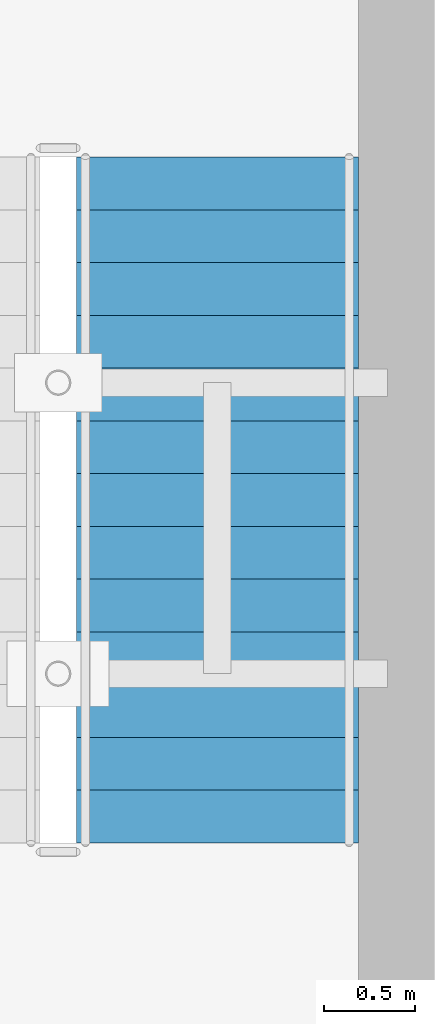
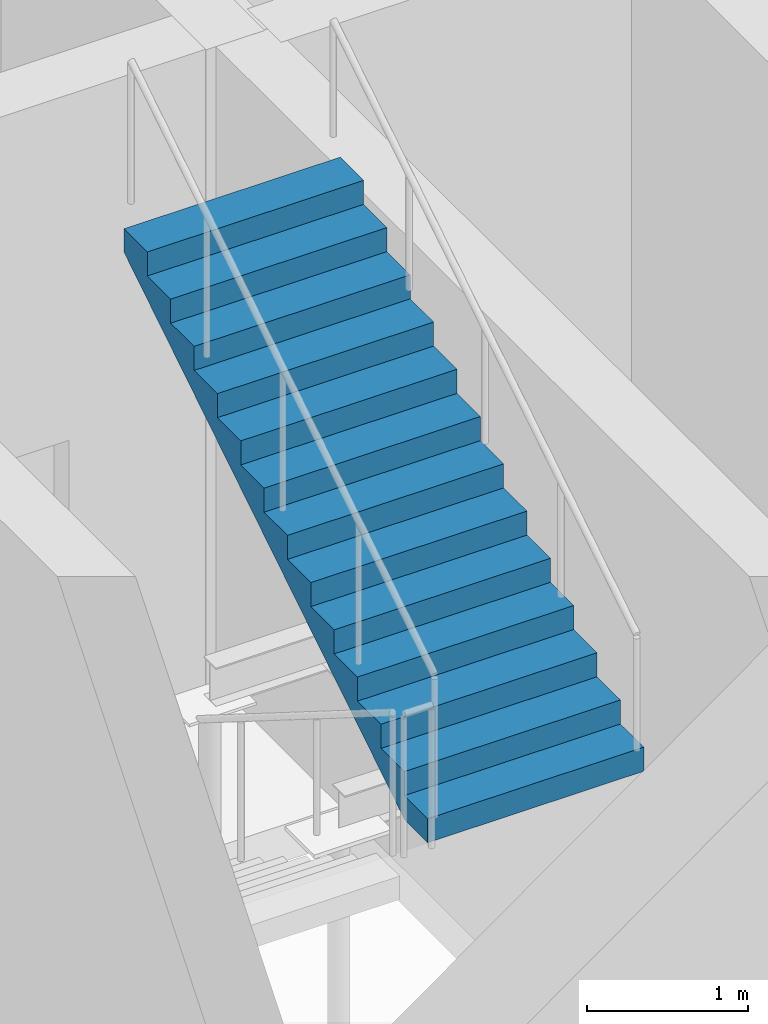
# One storey, part 84 of 93: 1 stair flight, 1 element without a shape of its own.
"""IFC4 building model written with IfcOpenShell, lengths in metres."""

from ifc_helpers import new_model, si_unit, direction, frame, origin, place, context, subcontext, project, spatial, polyline, outline, extrude, material, type_object, element, aggregate, save


model = new_model("IFC4")

# Units and contexts
model_context = context("Model", 3, precision=1e-05, world=origin(), true_north=direction((0.0, 1.0)))
body_context = subcontext(model_context, "Body", "Model", "MODEL_VIEW")
ifc_project = project(units=[si_unit("LENGTHUNIT", "METRE"), si_unit("AREAUNIT", "SQUARE_METRE"), si_unit("VOLUMEUNIT", "CUBIC_METRE"), si_unit("PLANEANGLEUNIT", "RADIAN"), si_unit("MASSUNIT", "GRAM", prefix="KILO")], contexts=[model_context])

# Site, building, storey
site_placement = place(None, origin())
site = spatial("IfcSite", under=ifc_project, at=site_placement, CompositionType="ELEMENT")
building_placement = place(site_placement, origin())
building = spatial("IfcBuilding", under=site, at=building_placement, Name="Krzemoval Escarpment Law Courts", CompositionType="ELEMENT")
storey_placement = place(building_placement, frame((0.0, 0.0, 10.199951171875)))
storey = spatial("IfcBuildingStorey", under=building, at=storey_placement, Name="L02", CompositionType="ELEMENT", Elevation=10.199951171875)

# Stair, stair flight
ifc_material_1 = material(Name="Concrete C40/50", Category="concrete")
stair_type = type_object("IfcStairType", Name="STR-CORE-1550", PredefinedType="HALF_TURN_STAIR", material=ifc_material_1)
stair_placement = place(storey_placement, origin())
stair = element("IfcStair", 1, at=stair_placement, inside=storey, type_object=stair_type, Name="L02 ST3", PredefinedType="HALF_TURN_STAIR")
ifc_material_2 = material(Name="Concrete C40/50", Category="concrete")
stair_flight_type = type_object("IfcStairFlightType", Name="STF-CORE-1550", PredefinedType="STRAIGHT", material=ifc_material_2)
stair_flight_placement = place(storey_placement, frame((146.425048828125, 97.929931640625, 2.550048828125), z_axis=(0.0, 0.0, 1.0), x_axis=(0.0, 1.0, 0.0)))
stair_flight = element("IfcStairFlight", 2, at=stair_flight_placement, type_object=stair_flight_type, Name="ST3 flight 2", NumberOfRisers=14, NumberOfTreads=13, PredefinedType="STRAIGHT", RiserHeight=0.182142857, TreadLength=0.29, context=body_context, shape_type="SweptSolid", body=[
    extrude(outline(polyline([(0.0, 0.0), (0.0, 0.18212890625), (0.2900390625, 0.18212890625), (0.2900390625, 0.3642578125), (0.580078125, 0.3642578125), (0.580078125, 0.54638671875), (0.8701171875, 0.54638671875), (0.8701171875, 0.728515625), (1.159912109375, 0.728515625), (1.159912109375, 0.91064453125), (1.449951171875, 0.91064453125), (1.449951171875, 1.0927734375), (1.739990234375, 1.0927734375), (1.739990234375, 1.27490234375), (2.030029296875, 1.27490234375), (2.030029296875, 1.45703125), (2.320068359375, 1.45703125), (2.320068359375, 1.639404296875), (2.610107421875, 1.639404296875), (2.610107421875, 1.821533203125), (2.89990234375, 1.821533203125), (2.89990234375, 2.003662109375), (3.18994140625, 2.003662109375), (3.18994140625, 2.185791015625), (3.47998046875, 2.185791015625), (3.47998046875, 2.367919921875), (3.77001953125, 2.367919921875), (3.77001953125, 2.550048828125), (3.77001953125, 2.19091796875), (0.28173828125, 0.0), (0.0, 0.0)])), frame((0.0, 0.77490234375, 0.0), z_axis=(0.0, -1.0, 0.0), x_axis=(1.0, 0.0, 0.0)), (0.0, 0.0, 1.0), 1.550048828125),
])
aggregate(stair, [stair_flight])

save(model, "model.ifc")
